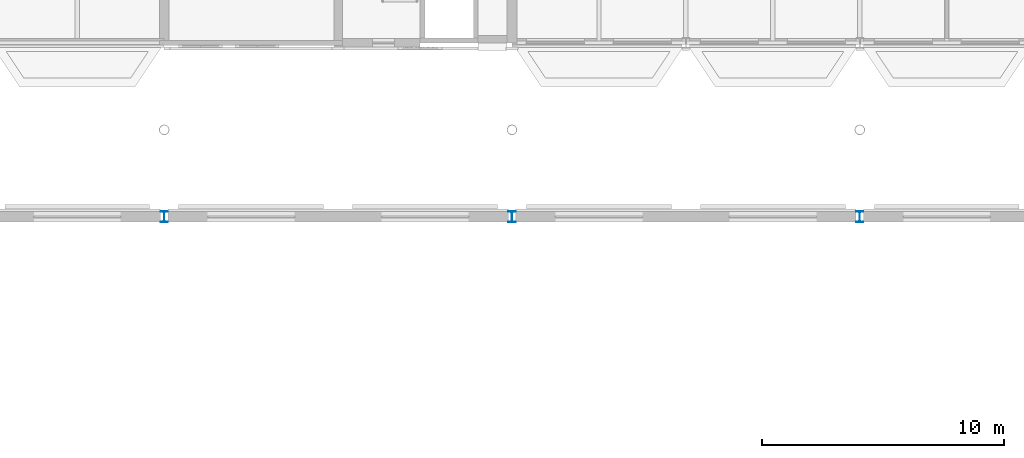
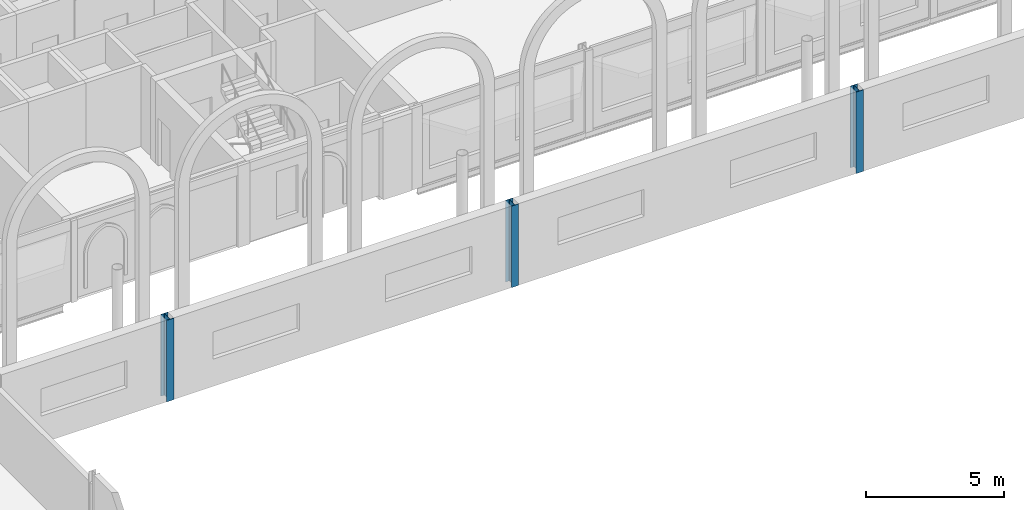
# One storey, part 13 of 143: 3 columns.
"""IFC4 building model written with IfcOpenShell, lengths in metres."""

from ifc_helpers import new_model, si_unit, direction, frame, origin, origin_2d, place, context, subcontext, project, spatial, i_section, extrude, material, material_profile, profile_set, type_object, element, save


model = new_model("IFC4")

# Units and contexts
model_context = context("Model", 3, precision=1e-05, world=origin(), true_north=direction((0.0, 1.0)))
body_context = subcontext(model_context, "Body", "Model", "MODEL_VIEW")
ifc_project = project(units=[si_unit("LENGTHUNIT", "METRE"), si_unit("AREAUNIT", "SQUARE_METRE"), si_unit("VOLUMEUNIT", "CUBIC_METRE"), si_unit("PLANEANGLEUNIT", "RADIAN"), si_unit("MASSUNIT", "GRAM", prefix="KILO")], contexts=[model_context])

# Site, building, storey
site_placement = place(None, origin())
site = spatial("IfcSite", under=ifc_project, at=site_placement, CompositionType="ELEMENT")
building_placement = place(site_placement, origin())
building = spatial("IfcBuilding", under=site, at=building_placement, Name="Kupolbacken Congress Centre", CompositionType="ELEMENT")
storey_placement = place(building_placement, frame((0.0, 0.0, 7.199951171875)))
storey = spatial("IfcBuildingStorey", under=building, at=storey_placement, Name="L02", CompositionType="ELEMENT", Elevation=7.199951171875)

# Columns
ifc_material = material(Name="Steel S355", Category="steel")
ifc_material_profile = material_profile(ifc_material, i_section(OverallWidth=0.300048828125, OverallDepth=0.43994140625, WebThickness=0.011474609375, FlangeThickness=0.02099609375, FilletRadius=0.027099609375, at=origin_2d()), Name="HEA 450")
ifc_profile_set = profile_set([ifc_material_profile], Name="Steel S355")
column_type = type_object("IfcColumnType", Name="C07 column HEA 450", PredefinedType="COLUMN", material=ifc_profile_set)
for number, where, z_axis, x_axis, name in (
    (1, (93.60009765625, 115.199951171875, 0.0), (0.0, 0.0, 1.0), (1.0, 0.0, 0.0), "S/col/C-H-T1N/L02"),
    (2, (108.0, 115.199951171875, 0.0), (0.0, 0.0, 1.0), (1.0, 0.0, 0.0), "S/col/C-H-T2N/L02"),
    (3, (122.39990234375, 115.199951171875, 0.0), (0.0, 0.0, 1.0), (1.0, 0.0, 0.0), "S/col/C-H-T3N/L02"),
):
    element("IfcColumn", number, at=place(storey_placement, frame(where, z_axis=z_axis, x_axis=x_axis)), inside=storey, type_object=column_type, Name=name, PredefinedType="COLUMN", context=body_context, shape_type="SweptSolid", body=[
        extrude(i_section(OverallWidth=0.300048828125, OverallDepth=0.43994140625, WebThickness=0.011474609375, FlangeThickness=0.02099609375, FilletRadius=0.027099609375, at=origin_2d()), origin(), (0.0, 0.0, 1.0), 3.60009765625),
    ])

save(model, "model.ifc")
